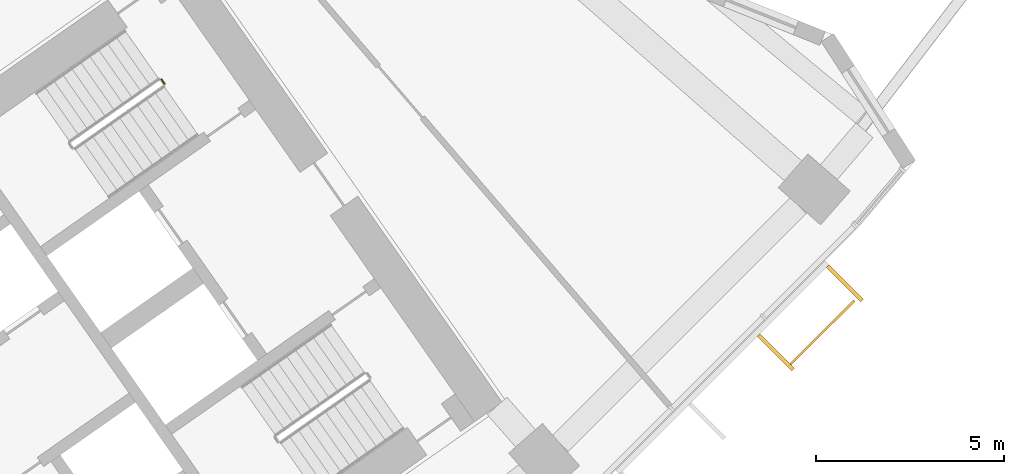
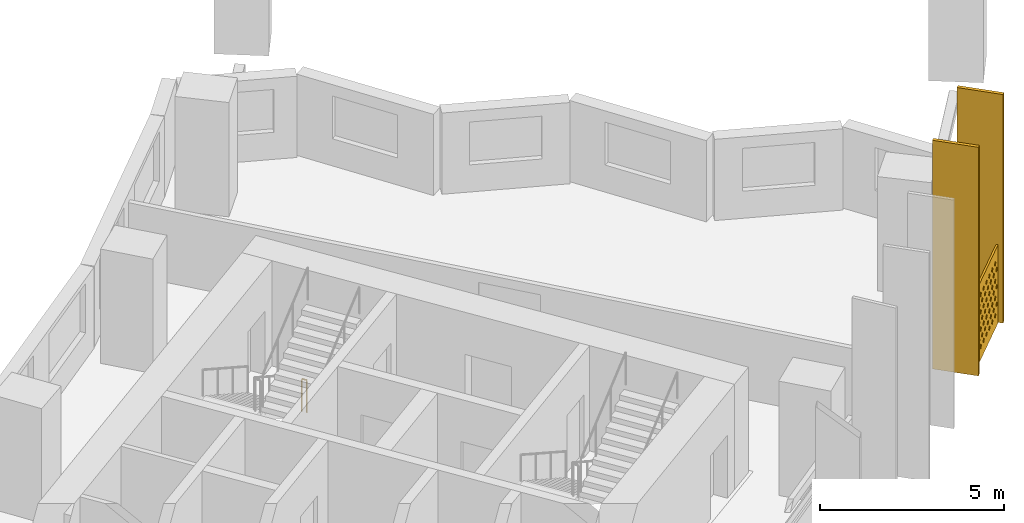
# One storey, part 30 of 30: 3 shading devices, 1 railing.
"""IFC4 building model written with IfcOpenShell, lengths in metres."""

from ifc_helpers import new_model, si_unit, direction, frame, origin, origin_2d, place, context, subcontext, project, spatial, polyline, rectangle, circle, outline, extrude, material, material_profile, profile_set, type_object, element, save


model = new_model("IFC4")

# Units and contexts
model_context = context("Model", 3, precision=1e-05, world=origin(), true_north=direction((0.0, 1.0)))
body_context = subcontext(model_context, "Body", "Model", "MODEL_VIEW")
ifc_project = project(units=[si_unit("LENGTHUNIT", "METRE"), si_unit("AREAUNIT", "SQUARE_METRE"), si_unit("VOLUMEUNIT", "CUBIC_METRE"), si_unit("PLANEANGLEUNIT", "RADIAN"), si_unit("MASSUNIT", "GRAM", prefix="KILO")], contexts=[model_context])

# Site, building, storey
site_placement = place(None, origin())
site = spatial("IfcSite", under=ifc_project, at=site_placement, CompositionType="ELEMENT")
building_placement = place(site_placement, origin())
building = spatial("IfcBuilding", under=site, at=building_placement, Name="Qamariyya Broadcast Tower", CompositionType="ELEMENT")
storey_placement = place(building_placement, frame((0.0, 0.0, 110.10009765625)))
storey = spatial("IfcBuildingStorey", under=building, at=storey_placement, Name="L24", CompositionType="ELEMENT", Elevation=110.10009765625)

# Shading device
ifc_material_1 = material(Name="Perforated glazed terracotta", Category="masonry")
ifc_material_profile_1 = material_profile(ifc_material_1, outline(polyline([(-1.199951171875, -1.300048828125), (1.199951171875, -1.300048828125), (1.199951171875, 1.300048828125), (-1.199951171875, 1.300048828125), (-1.199951171875, -1.300048828125)]), holes=[polyline([(-0.81494140625, -0.86669921875), (-0.89990234375, -0.78173828125), (-0.985107421875, -0.86669921875), (-0.89990234375, -0.95166015625), (-0.81494140625, -0.86669921875)]), polyline([(-0.514892578125, -0.86669921875), (-0.60009765625, -0.78173828125), (-0.68505859375, -0.86669921875), (-0.60009765625, -0.95166015625), (-0.514892578125, -0.86669921875)]), polyline([(-0.215087890625, -0.86669921875), (-0.300048828125, -0.78173828125), (-0.385009765625, -0.86669921875), (-0.300048828125, -0.95166015625), (-0.215087890625, -0.86669921875)]), polyline([(0.0849609375, -0.86669921875), (0.0, -0.78173828125), (-0.0849609375, -0.86669921875), (0.0, -0.95166015625), (0.0849609375, -0.86669921875)]), polyline([(0.385009765625, -0.86669921875), (0.300048828125, -0.78173828125), (0.215087890625, -0.86669921875), (0.300048828125, -0.95166015625), (0.385009765625, -0.86669921875)]), polyline([(0.68505859375, -0.86669921875), (0.60009765625, -0.78173828125), (0.514892578125, -0.86669921875), (0.60009765625, -0.95166015625), (0.68505859375, -0.86669921875)]), polyline([(0.985107421875, -0.86669921875), (0.89990234375, -0.78173828125), (0.81494140625, -0.86669921875), (0.89990234375, -0.95166015625), (0.985107421875, -0.86669921875)]), polyline([(-0.965087890625, -0.577880859375), (-1.050048828125, -0.49267578125), (-1.135009765625, -0.577880859375), (-1.050048828125, -0.662841796875), (-0.965087890625, -0.577880859375)]), polyline([(-0.6650390625, -0.577880859375), (-0.75, -0.49267578125), (-0.8349609375, -0.577880859375), (-0.75, -0.662841796875), (-0.6650390625, -0.577880859375)]), polyline([(-0.364990234375, -0.577880859375), (-0.449951171875, -0.49267578125), (-0.534912109375, -0.577880859375), (-0.449951171875, -0.662841796875), (-0.364990234375, -0.577880859375)]), polyline([(-0.06494140625, -0.577880859375), (-0.14990234375, -0.49267578125), (-0.235107421875, -0.577880859375), (-0.14990234375, -0.662841796875), (-0.06494140625, -0.577880859375)]), polyline([(0.235107421875, -0.577880859375), (0.14990234375, -0.49267578125), (0.06494140625, -0.577880859375), (0.14990234375, -0.662841796875), (0.235107421875, -0.577880859375)]), polyline([(0.534912109375, -0.577880859375), (0.449951171875, -0.49267578125), (0.364990234375, -0.577880859375), (0.449951171875, -0.662841796875), (0.534912109375, -0.577880859375)]), polyline([(0.8349609375, -0.577880859375), (0.75, -0.49267578125), (0.6650390625, -0.577880859375), (0.75, -0.662841796875), (0.8349609375, -0.577880859375)]), polyline([(1.135009765625, -0.577880859375), (1.050048828125, -0.49267578125), (0.965087890625, -0.577880859375), (1.050048828125, -0.662841796875), (1.135009765625, -0.577880859375)]), polyline([(-0.81494140625, -0.288818359375), (-0.89990234375, -0.203857421875), (-0.985107421875, -0.288818359375), (-0.89990234375, -0.373779296875), (-0.81494140625, -0.288818359375)]), polyline([(-0.514892578125, -0.288818359375), (-0.60009765625, -0.203857421875), (-0.68505859375, -0.288818359375), (-0.60009765625, -0.373779296875), (-0.514892578125, -0.288818359375)]), polyline([(-0.215087890625, -0.288818359375), (-0.300048828125, -0.203857421875), (-0.385009765625, -0.288818359375), (-0.300048828125, -0.373779296875), (-0.215087890625, -0.288818359375)]), polyline([(0.0849609375, -0.288818359375), (0.0, -0.203857421875), (-0.0849609375, -0.288818359375), (0.0, -0.373779296875), (0.0849609375, -0.288818359375)]), polyline([(0.385009765625, -0.288818359375), (0.300048828125, -0.203857421875), (0.215087890625, -0.288818359375), (0.300048828125, -0.373779296875), (0.385009765625, -0.288818359375)]), polyline([(0.68505859375, -0.288818359375), (0.60009765625, -0.203857421875), (0.514892578125, -0.288818359375), (0.60009765625, -0.373779296875), (0.68505859375, -0.288818359375)]), polyline([(0.985107421875, -0.288818359375), (0.89990234375, -0.203857421875), (0.81494140625, -0.288818359375), (0.89990234375, -0.373779296875), (0.985107421875, -0.288818359375)]), polyline([(-0.965087890625, 0.0), (-1.050048828125, 0.0849609375), (-1.135009765625, 0.0), (-1.050048828125, -0.0849609375), (-0.965087890625, 0.0)]), polyline([(-0.6650390625, 0.0), (-0.75, 0.0849609375), (-0.8349609375, 0.0), (-0.75, -0.0849609375), (-0.6650390625, 0.0)]), polyline([(-0.364990234375, 0.0), (-0.449951171875, 0.0849609375), (-0.534912109375, 0.0), (-0.449951171875, -0.0849609375), (-0.364990234375, 0.0)]), polyline([(-0.06494140625, 0.0), (-0.14990234375, 0.0849609375), (-0.235107421875, 0.0), (-0.14990234375, -0.0849609375), (-0.06494140625, 0.0)]), polyline([(0.235107421875, 0.0), (0.14990234375, 0.0849609375), (0.06494140625, 0.0), (0.14990234375, -0.0849609375), (0.235107421875, 0.0)]), polyline([(0.534912109375, 0.0), (0.449951171875, 0.0849609375), (0.364990234375, 0.0), (0.449951171875, -0.0849609375), (0.534912109375, 0.0)]), polyline([(0.8349609375, 0.0), (0.75, 0.0849609375), (0.6650390625, 0.0), (0.75, -0.0849609375), (0.8349609375, 0.0)]), polyline([(1.135009765625, 0.0), (1.050048828125, 0.0849609375), (0.965087890625, 0.0), (1.050048828125, -0.0849609375), (1.135009765625, 0.0)]), polyline([(-0.81494140625, 0.288818359375), (-0.89990234375, 0.373779296875), (-0.985107421875, 0.288818359375), (-0.89990234375, 0.203857421875), (-0.81494140625, 0.288818359375)]), polyline([(-0.514892578125, 0.288818359375), (-0.60009765625, 0.373779296875), (-0.68505859375, 0.288818359375), (-0.60009765625, 0.203857421875), (-0.514892578125, 0.288818359375)]), polyline([(-0.215087890625, 0.288818359375), (-0.300048828125, 0.373779296875), (-0.385009765625, 0.288818359375), (-0.300048828125, 0.203857421875), (-0.215087890625, 0.288818359375)]), polyline([(0.0849609375, 0.288818359375), (0.0, 0.373779296875), (-0.0849609375, 0.288818359375), (0.0, 0.203857421875), (0.0849609375, 0.288818359375)]), polyline([(0.385009765625, 0.288818359375), (0.300048828125, 0.373779296875), (0.215087890625, 0.288818359375), (0.300048828125, 0.203857421875), (0.385009765625, 0.288818359375)]), polyline([(0.68505859375, 0.288818359375), (0.60009765625, 0.373779296875), (0.514892578125, 0.288818359375), (0.60009765625, 0.203857421875), (0.68505859375, 0.288818359375)]), polyline([(0.985107421875, 0.288818359375), (0.89990234375, 0.373779296875), (0.81494140625, 0.288818359375), (0.89990234375, 0.203857421875), (0.985107421875, 0.288818359375)]), polyline([(-0.965087890625, 0.577880859375), (-1.050048828125, 0.662841796875), (-1.135009765625, 0.577880859375), (-1.050048828125, 0.49267578125), (-0.965087890625, 0.577880859375)]), polyline([(-0.6650390625, 0.577880859375), (-0.75, 0.662841796875), (-0.8349609375, 0.577880859375), (-0.75, 0.49267578125), (-0.6650390625, 0.577880859375)]), polyline([(-0.364990234375, 0.577880859375), (-0.449951171875, 0.662841796875), (-0.534912109375, 0.577880859375), (-0.449951171875, 0.49267578125), (-0.364990234375, 0.577880859375)]), polyline([(-0.06494140625, 0.577880859375), (-0.14990234375, 0.662841796875), (-0.235107421875, 0.577880859375), (-0.14990234375, 0.49267578125), (-0.06494140625, 0.577880859375)]), polyline([(0.235107421875, 0.577880859375), (0.14990234375, 0.662841796875), (0.06494140625, 0.577880859375), (0.14990234375, 0.49267578125), (0.235107421875, 0.577880859375)]), polyline([(0.534912109375, 0.577880859375), (0.449951171875, 0.662841796875), (0.364990234375, 0.577880859375), (0.449951171875, 0.49267578125), (0.534912109375, 0.577880859375)]), polyline([(0.8349609375, 0.577880859375), (0.75, 0.662841796875), (0.6650390625, 0.577880859375), (0.75, 0.49267578125), (0.8349609375, 0.577880859375)]), polyline([(1.135009765625, 0.577880859375), (1.050048828125, 0.662841796875), (0.965087890625, 0.577880859375), (1.050048828125, 0.49267578125), (1.135009765625, 0.577880859375)]), polyline([(-0.81494140625, 0.86669921875), (-0.89990234375, 0.95166015625), (-0.985107421875, 0.86669921875), (-0.89990234375, 0.78173828125), (-0.81494140625, 0.86669921875)]), polyline([(-0.514892578125, 0.86669921875), (-0.60009765625, 0.95166015625), (-0.68505859375, 0.86669921875), (-0.60009765625, 0.78173828125), (-0.514892578125, 0.86669921875)]), polyline([(-0.215087890625, 0.86669921875), (-0.300048828125, 0.95166015625), (-0.385009765625, 0.86669921875), (-0.300048828125, 0.78173828125), (-0.215087890625, 0.86669921875)]), polyline([(0.0849609375, 0.86669921875), (0.0, 0.95166015625), (-0.0849609375, 0.86669921875), (0.0, 0.78173828125), (0.0849609375, 0.86669921875)]), polyline([(0.385009765625, 0.86669921875), (0.300048828125, 0.95166015625), (0.215087890625, 0.86669921875), (0.300048828125, 0.78173828125), (0.385009765625, 0.86669921875)]), polyline([(0.68505859375, 0.86669921875), (0.60009765625, 0.95166015625), (0.514892578125, 0.86669921875), (0.60009765625, 0.78173828125), (0.68505859375, 0.86669921875)]), polyline([(0.985107421875, 0.86669921875), (0.89990234375, 0.95166015625), (0.81494140625, 0.86669921875), (0.89990234375, 0.78173828125), (0.985107421875, 0.86669921875)])]))
ifc_profile_set_1 = profile_set([ifc_material_profile_1], Name="Perforated glazed terracotta")
shading_device_type_1 = type_object("IfcShadingDeviceType", Name="Perforated terracotta screen 2400 x 2600", PredefinedType="USERDEFINED", material=ifc_profile_set_1)
shading_device_placement = place(storey_placement, frame((58.65234375, -55.05078125, 1.349853515625), z_axis=(0.705066081692, -0.709141608176, 0.0), x_axis=(0.709141608176, 0.705066081692, 0.0)))
element("IfcShadingDevice", 1, at=shading_device_placement, inside=storey, type_object=shading_device_type_1, Name="e-scr-L24-15-2", ObjectType="SCREEN", PredefinedType="USERDEFINED", context=body_context, shape_type="SweptSolid", body=[
    extrude(outline(polyline([(-1.199951171875, -1.300048828125), (1.199951171875, -1.300048828125), (1.199951171875, 1.300048828125), (-1.199951171875, 1.300048828125), (-1.199951171875, -1.300048828125)]), holes=[polyline([(-0.81494140625, -0.86669921875), (-0.89990234375, -0.78173828125), (-0.985107421875, -0.86669921875), (-0.89990234375, -0.95166015625), (-0.81494140625, -0.86669921875)]), polyline([(-0.514892578125, -0.86669921875), (-0.60009765625, -0.78173828125), (-0.68505859375, -0.86669921875), (-0.60009765625, -0.95166015625), (-0.514892578125, -0.86669921875)]), polyline([(-0.215087890625, -0.86669921875), (-0.300048828125, -0.78173828125), (-0.385009765625, -0.86669921875), (-0.300048828125, -0.95166015625), (-0.215087890625, -0.86669921875)]), polyline([(0.0849609375, -0.86669921875), (0.0, -0.78173828125), (-0.0849609375, -0.86669921875), (0.0, -0.95166015625), (0.0849609375, -0.86669921875)]), polyline([(0.385009765625, -0.86669921875), (0.300048828125, -0.78173828125), (0.215087890625, -0.86669921875), (0.300048828125, -0.95166015625), (0.385009765625, -0.86669921875)]), polyline([(0.68505859375, -0.86669921875), (0.60009765625, -0.78173828125), (0.514892578125, -0.86669921875), (0.60009765625, -0.95166015625), (0.68505859375, -0.86669921875)]), polyline([(0.985107421875, -0.86669921875), (0.89990234375, -0.78173828125), (0.81494140625, -0.86669921875), (0.89990234375, -0.95166015625), (0.985107421875, -0.86669921875)]), polyline([(-0.965087890625, -0.577880859375), (-1.050048828125, -0.49267578125), (-1.135009765625, -0.577880859375), (-1.050048828125, -0.662841796875), (-0.965087890625, -0.577880859375)]), polyline([(-0.6650390625, -0.577880859375), (-0.75, -0.49267578125), (-0.8349609375, -0.577880859375), (-0.75, -0.662841796875), (-0.6650390625, -0.577880859375)]), polyline([(-0.364990234375, -0.577880859375), (-0.449951171875, -0.49267578125), (-0.534912109375, -0.577880859375), (-0.449951171875, -0.662841796875), (-0.364990234375, -0.577880859375)]), polyline([(-0.06494140625, -0.577880859375), (-0.14990234375, -0.49267578125), (-0.235107421875, -0.577880859375), (-0.14990234375, -0.662841796875), (-0.06494140625, -0.577880859375)]), polyline([(0.235107421875, -0.577880859375), (0.14990234375, -0.49267578125), (0.06494140625, -0.577880859375), (0.14990234375, -0.662841796875), (0.235107421875, -0.577880859375)]), polyline([(0.534912109375, -0.577880859375), (0.449951171875, -0.49267578125), (0.364990234375, -0.577880859375), (0.449951171875, -0.662841796875), (0.534912109375, -0.577880859375)]), polyline([(0.8349609375, -0.577880859375), (0.75, -0.49267578125), (0.6650390625, -0.577880859375), (0.75, -0.662841796875), (0.8349609375, -0.577880859375)]), polyline([(1.135009765625, -0.577880859375), (1.050048828125, -0.49267578125), (0.965087890625, -0.577880859375), (1.050048828125, -0.662841796875), (1.135009765625, -0.577880859375)]), polyline([(-0.81494140625, -0.288818359375), (-0.89990234375, -0.203857421875), (-0.985107421875, -0.288818359375), (-0.89990234375, -0.373779296875), (-0.81494140625, -0.288818359375)]), polyline([(-0.514892578125, -0.288818359375), (-0.60009765625, -0.203857421875), (-0.68505859375, -0.288818359375), (-0.60009765625, -0.373779296875), (-0.514892578125, -0.288818359375)]), polyline([(-0.215087890625, -0.288818359375), (-0.300048828125, -0.203857421875), (-0.385009765625, -0.288818359375), (-0.300048828125, -0.373779296875), (-0.215087890625, -0.288818359375)]), polyline([(0.0849609375, -0.288818359375), (0.0, -0.203857421875), (-0.0849609375, -0.288818359375), (0.0, -0.373779296875), (0.0849609375, -0.288818359375)]), polyline([(0.385009765625, -0.288818359375), (0.300048828125, -0.203857421875), (0.215087890625, -0.288818359375), (0.300048828125, -0.373779296875), (0.385009765625, -0.288818359375)]), polyline([(0.68505859375, -0.288818359375), (0.60009765625, -0.203857421875), (0.514892578125, -0.288818359375), (0.60009765625, -0.373779296875), (0.68505859375, -0.288818359375)]), polyline([(0.985107421875, -0.288818359375), (0.89990234375, -0.203857421875), (0.81494140625, -0.288818359375), (0.89990234375, -0.373779296875), (0.985107421875, -0.288818359375)]), polyline([(-0.965087890625, 0.0), (-1.050048828125, 0.0849609375), (-1.135009765625, 0.0), (-1.050048828125, -0.0849609375), (-0.965087890625, 0.0)]), polyline([(-0.6650390625, 0.0), (-0.75, 0.0849609375), (-0.8349609375, 0.0), (-0.75, -0.0849609375), (-0.6650390625, 0.0)]), polyline([(-0.364990234375, 0.0), (-0.449951171875, 0.0849609375), (-0.534912109375, 0.0), (-0.449951171875, -0.0849609375), (-0.364990234375, 0.0)]), polyline([(-0.06494140625, 0.0), (-0.14990234375, 0.0849609375), (-0.235107421875, 0.0), (-0.14990234375, -0.0849609375), (-0.06494140625, 0.0)]), polyline([(0.235107421875, 0.0), (0.14990234375, 0.0849609375), (0.06494140625, 0.0), (0.14990234375, -0.0849609375), (0.235107421875, 0.0)]), polyline([(0.534912109375, 0.0), (0.449951171875, 0.0849609375), (0.364990234375, 0.0), (0.449951171875, -0.0849609375), (0.534912109375, 0.0)]), polyline([(0.8349609375, 0.0), (0.75, 0.0849609375), (0.6650390625, 0.0), (0.75, -0.0849609375), (0.8349609375, 0.0)]), polyline([(1.135009765625, 0.0), (1.050048828125, 0.0849609375), (0.965087890625, 0.0), (1.050048828125, -0.0849609375), (1.135009765625, 0.0)]), polyline([(-0.81494140625, 0.288818359375), (-0.89990234375, 0.373779296875), (-0.985107421875, 0.288818359375), (-0.89990234375, 0.203857421875), (-0.81494140625, 0.288818359375)]), polyline([(-0.514892578125, 0.288818359375), (-0.60009765625, 0.373779296875), (-0.68505859375, 0.288818359375), (-0.60009765625, 0.203857421875), (-0.514892578125, 0.288818359375)]), polyline([(-0.215087890625, 0.288818359375), (-0.300048828125, 0.373779296875), (-0.385009765625, 0.288818359375), (-0.300048828125, 0.203857421875), (-0.215087890625, 0.288818359375)]), polyline([(0.0849609375, 0.288818359375), (0.0, 0.373779296875), (-0.0849609375, 0.288818359375), (0.0, 0.203857421875), (0.0849609375, 0.288818359375)]), polyline([(0.385009765625, 0.288818359375), (0.300048828125, 0.373779296875), (0.215087890625, 0.288818359375), (0.300048828125, 0.203857421875), (0.385009765625, 0.288818359375)]), polyline([(0.68505859375, 0.288818359375), (0.60009765625, 0.373779296875), (0.514892578125, 0.288818359375), (0.60009765625, 0.203857421875), (0.68505859375, 0.288818359375)]), polyline([(0.985107421875, 0.288818359375), (0.89990234375, 0.373779296875), (0.81494140625, 0.288818359375), (0.89990234375, 0.203857421875), (0.985107421875, 0.288818359375)]), polyline([(-0.965087890625, 0.577880859375), (-1.050048828125, 0.662841796875), (-1.135009765625, 0.577880859375), (-1.050048828125, 0.49267578125), (-0.965087890625, 0.577880859375)]), polyline([(-0.6650390625, 0.577880859375), (-0.75, 0.662841796875), (-0.8349609375, 0.577880859375), (-0.75, 0.49267578125), (-0.6650390625, 0.577880859375)]), polyline([(-0.364990234375, 0.577880859375), (-0.449951171875, 0.662841796875), (-0.534912109375, 0.577880859375), (-0.449951171875, 0.49267578125), (-0.364990234375, 0.577880859375)]), polyline([(-0.06494140625, 0.577880859375), (-0.14990234375, 0.662841796875), (-0.235107421875, 0.577880859375), (-0.14990234375, 0.49267578125), (-0.06494140625, 0.577880859375)]), polyline([(0.235107421875, 0.577880859375), (0.14990234375, 0.662841796875), (0.06494140625, 0.577880859375), (0.14990234375, 0.49267578125), (0.235107421875, 0.577880859375)]), polyline([(0.534912109375, 0.577880859375), (0.449951171875, 0.662841796875), (0.364990234375, 0.577880859375), (0.449951171875, 0.49267578125), (0.534912109375, 0.577880859375)]), polyline([(0.8349609375, 0.577880859375), (0.75, 0.662841796875), (0.6650390625, 0.577880859375), (0.75, 0.49267578125), (0.8349609375, 0.577880859375)]), polyline([(1.135009765625, 0.577880859375), (1.050048828125, 0.662841796875), (0.965087890625, 0.577880859375), (1.050048828125, 0.49267578125), (1.135009765625, 0.577880859375)]), polyline([(-0.81494140625, 0.86669921875), (-0.89990234375, 0.95166015625), (-0.985107421875, 0.86669921875), (-0.89990234375, 0.78173828125), (-0.81494140625, 0.86669921875)]), polyline([(-0.514892578125, 0.86669921875), (-0.60009765625, 0.95166015625), (-0.68505859375, 0.86669921875), (-0.60009765625, 0.78173828125), (-0.514892578125, 0.86669921875)]), polyline([(-0.215087890625, 0.86669921875), (-0.300048828125, 0.95166015625), (-0.385009765625, 0.86669921875), (-0.300048828125, 0.78173828125), (-0.215087890625, 0.86669921875)]), polyline([(0.0849609375, 0.86669921875), (0.0, 0.95166015625), (-0.0849609375, 0.86669921875), (0.0, 0.78173828125), (0.0849609375, 0.86669921875)]), polyline([(0.385009765625, 0.86669921875), (0.300048828125, 0.95166015625), (0.215087890625, 0.86669921875), (0.300048828125, 0.78173828125), (0.385009765625, 0.86669921875)]), polyline([(0.68505859375, 0.86669921875), (0.60009765625, 0.95166015625), (0.514892578125, 0.86669921875), (0.60009765625, 0.78173828125), (0.68505859375, 0.86669921875)]), polyline([(0.985107421875, 0.86669921875), (0.89990234375, 0.95166015625), (0.81494140625, 0.86669921875), (0.89990234375, 0.78173828125), (0.985107421875, 0.86669921875)])]), origin(), (0.0, 0.0, 1.0), 0.059814453125),
])

# Railing
ifc_material_2 = material(Name="Painted steel", Category="steel")
railing_type = type_object("IfcRailingType", Name="Stair guard", PredefinedType="GUARDRAIL", material=ifc_material_2)
railing_placement = place(storey_placement, frame((41.072998046875, -48.332275390625, 0.0)))
element("IfcRailing", 2, at=railing_placement, inside=storey, type_object=railing_type, Name="L24 ST-E2 stair guard 3", PredefinedType="GUARDRAIL", context=body_context, shape_type="SweptSolid", body=[
    extrude(circle(Radius=0.02392578125, at=origin_2d()), frame((0.0, 0.0, 1.076171875), z_axis=(0.572588637393, -0.819842821722, 0.0), x_axis=(0.819842821722, 0.572588637393, 0.0)), (0.0, 0.0, 1.0), 0.150146484375),
    extrude(circle(Radius=0.02099609375, at=origin_2d()), origin(), (0.0, 0.0, 1.0), 1.052001953125),
    extrude(circle(Radius=0.02099609375, at=origin_2d()), frame((0.0859375, -0.123046875, 0.0)), (0.0, 0.0, 1.0), 1.052001953125),
])

# Shading devices
ifc_material_3 = material(Name="Glazed terracotta", Category="masonry")
ifc_material_profile_2 = material_profile(ifc_material_3, rectangle(XDim=1.300048828125, YDim=0.10009765625, at=origin_2d()))
ifc_profile_set_2 = profile_set([ifc_material_profile_2], Name="Glazed terracotta")
shading_device_type_2 = type_object("IfcShadingDeviceType", Name="Terracotta fin 100 x 1300", PredefinedType="USERDEFINED", material=ifc_profile_set_2)
for number, where, z_axis, x_axis, name in (
    (3, (57.43603515625, -55.602294921875, 0.0), (0.0, 0.0, 1.0), (0.707106781187, -0.707106781187, 0.0), "e-fin-L24-15-2"),
    (4, (59.269775390625, -53.7685546875, 0.0), (0.0, 0.0, 1.0), (0.707106781187, -0.707106781187, 0.0), "e-fin-L24-15-3"),
):
    element("IfcShadingDevice", number, at=place(storey_placement, frame(where, z_axis=z_axis, x_axis=x_axis)), inside=storey, type_object=shading_device_type_2, Name=name, ObjectType="FIN", PredefinedType="USERDEFINED", context=body_context, shape_type="SweptSolid", body=[
        extrude(rectangle(XDim=1.300048828125, YDim=0.10009765625, at=origin_2d()), origin(), (0.0, 0.0, 1.0), 7.599853515625),
    ])

save(model, "model.ifc")
